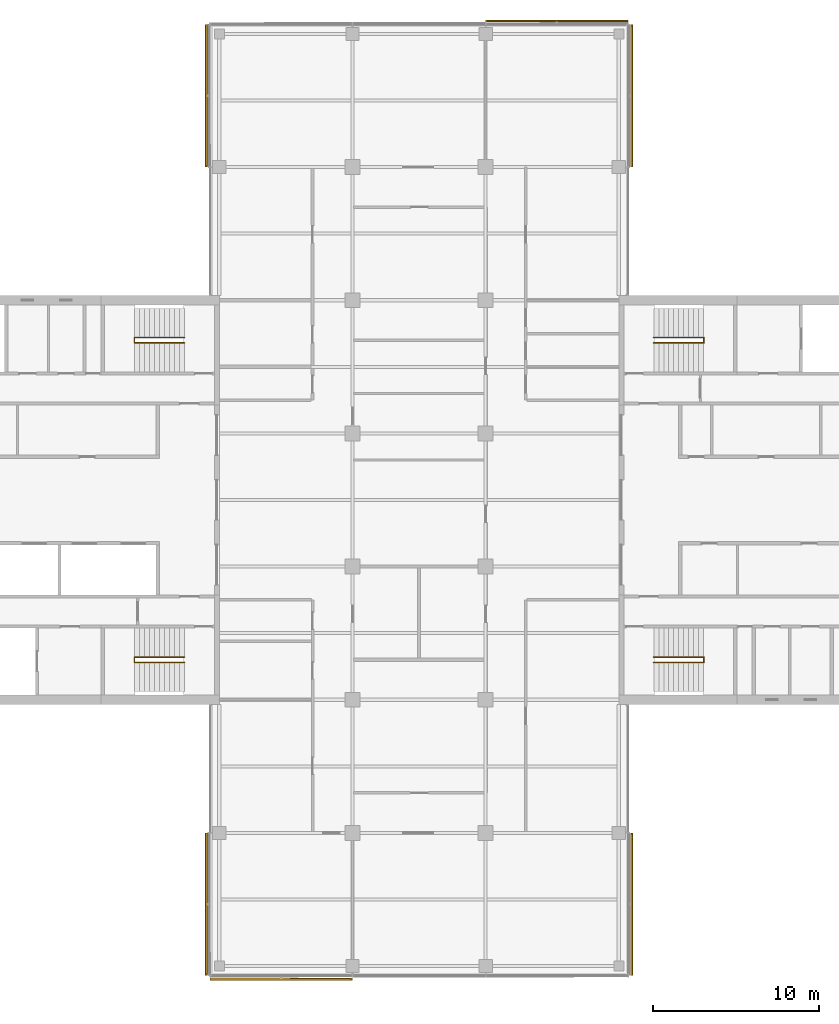
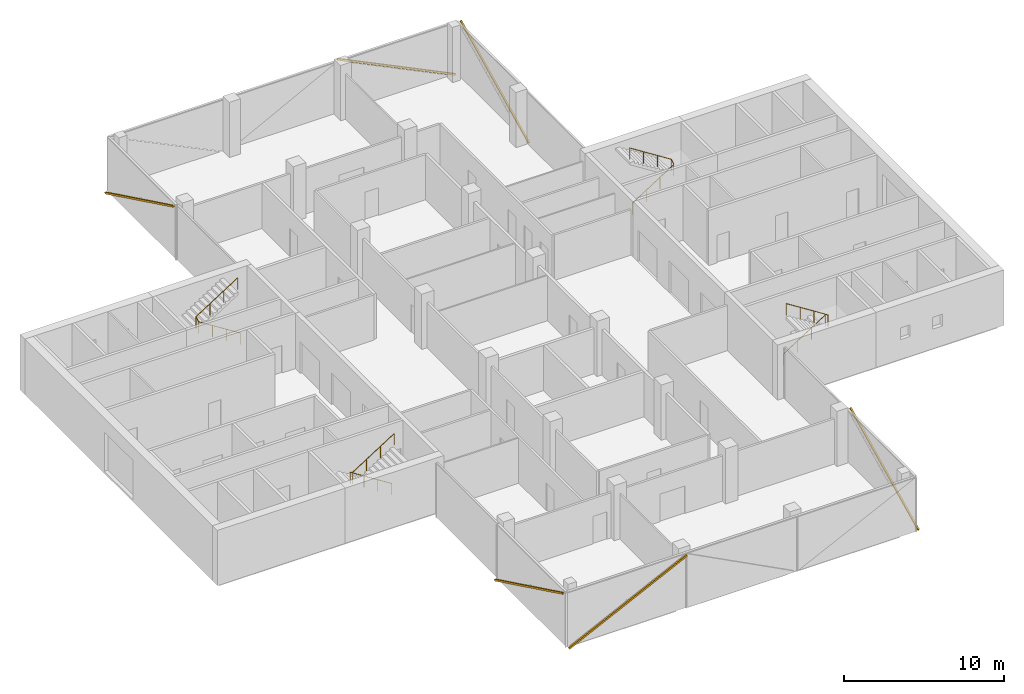
# One storey, part 15 of 15: 6 shading devices, 4 railings, 6 elements without a shape of their own.
"""IFC4 building model written with IfcOpenShell, lengths in metres."""

from ifc_helpers import new_model, si_unit, direction, frame, origin, origin_2d, place, context, subcontext, project, spatial, rectangle, circle, extrude, material, material_profile, profile_set, type_object, element, aggregate, save


model = new_model("IFC4")

# Units and contexts
model_context = context("Model", 3, precision=1e-05, world=origin(), true_north=direction((0.0, 1.0)))
body_context = subcontext(model_context, "Body", "Model", "MODEL_VIEW")
ifc_project = project(units=[si_unit("LENGTHUNIT", "METRE"), si_unit("AREAUNIT", "SQUARE_METRE"), si_unit("VOLUMEUNIT", "CUBIC_METRE"), si_unit("PLANEANGLEUNIT", "RADIAN"), si_unit("MASSUNIT", "GRAM", prefix="KILO")], contexts=[model_context])

# Site, building, storey
site_placement = place(None, origin())
site = spatial("IfcSite", under=ifc_project, at=site_placement, CompositionType="ELEMENT")
building_placement = place(site_placement, origin())
building = spatial("IfcBuilding", under=site, at=building_placement, Name="Crosswind Convention Tower", CompositionType="ELEMENT")
storey_placement = place(building_placement, frame((0.0, 0.0, 229.300048828125)))
storey = spatial("IfcBuildingStorey", under=building, at=storey_placement, Name="L49", CompositionType="ELEMENT", Elevation=229.300048828125)

# Railings
ifc_material_1 = material(Name="Stainless steel", Category="steel")
railing_type = type_object("IfcRailingType", Name="Stair handrail 900", PredefinedType="HANDRAIL", material=ifc_material_1)
railing_1_placement = place(storey_placement, frame((139.10009765625, 109.43994140625, 0.19091796875)))
element("IfcRailing", 1, at=railing_1_placement, inside=storey, type_object=railing_type, Name="Stair ST1 handrail L49", PredefinedType="HANDRAIL", context=body_context, shape_type="SweptSolid", body=[
    extrude(circle(Radius=0.02392578125, at=origin_2d()), frame((0.0, 0.0, 0.8759765625), z_axis=(0.843681277094, 0.0, 0.536844393359), x_axis=(0.0, 1.0, 0.0)), (0.0, 0.0, 1.0), 3.555908203125),
    extrude(circle(Radius=0.02392578125, at=origin_2d()), frame((3.0, 0.0, 2.78466796875), z_axis=(0.0, 0.858819504967, 0.512278301208), x_axis=(-1.0, 0.0, 0.0)), (0.0, 0.0, 1.0), 0.372802734375),
    extrude(circle(Radius=0.02392578125, at=origin_2d()), frame((3.0, 0.320068359375, 2.9755859375), z_axis=(-0.843650179428, 0.0, 0.536893261973), x_axis=(0.0, -1.0, 0.0)), (0.0, 0.0, 1.0), 3.555908203125),
    extrude(circle(Radius=0.02099609375, at=origin_2d()), origin(), (0.0, 0.0, 1.0), 0.851806640625),
    extrude(circle(Radius=0.02099609375, at=origin_2d()), frame((1.0, 0.0, 0.63623046875)), (0.0, 0.0, 1.0), 0.851806640625),
    extrude(circle(Radius=0.02099609375, at=origin_2d()), frame((2.0, 0.0, 1.272705078125)), (0.0, 0.0, 1.0), 0.851806640625),
    extrude(circle(Radius=0.02099609375, at=origin_2d()), frame((3.0, 0.0, 1.908935546875)), (0.0, 0.0, 1.0), 0.851806640625),
    extrude(circle(Radius=0.02099609375, at=origin_2d()), frame((3.0, 0.320068359375, 2.099853515625)), (0.0, 0.0, 1.0), 0.851806640625),
    extrude(circle(Radius=0.02099609375, at=origin_2d()), frame((2.0, 0.320068359375, 2.736328125)), (0.0, 0.0, 1.0), 0.851806640625),
    extrude(circle(Radius=0.02099609375, at=origin_2d()), frame((1.0, 0.320068359375, 3.37255859375)), (0.0, 0.0, 1.0), 0.851806640625),
    extrude(circle(Radius=0.02099609375, at=origin_2d()), frame((0.0, 0.320068359375, 4.009033203125)), (0.0, 0.0, 1.0), 0.851806640625),
])
railing_2_placement = place(storey_placement, frame((139.10009765625, 90.56005859375, 0.19091796875)))
element("IfcRailing", 2, at=railing_2_placement, inside=storey, type_object=railing_type, Name="Stair ST2 handrail L49", PredefinedType="HANDRAIL", context=body_context, shape_type="SweptSolid", body=[
    extrude(circle(Radius=0.02392578125, at=origin_2d()), frame((0.0, 0.0, 0.8759765625), z_axis=(0.843681277094, 0.0, 0.536844393359), x_axis=(0.0, 1.0, 0.0)), (0.0, 0.0, 1.0), 3.555908203125),
    extrude(circle(Radius=0.02392578125, at=origin_2d()), frame((3.0, 0.0, 2.78466796875), z_axis=(0.0, -0.858819504967, 0.512278301208), x_axis=(1.0, 0.0, 0.0)), (0.0, 0.0, 1.0), 0.372802734375),
    extrude(circle(Radius=0.02392578125, at=origin_2d()), frame((3.0, -0.320068359375, 2.9755859375), z_axis=(-0.843650179428, 0.0, 0.536893261973), x_axis=(0.0, -1.0, 0.0)), (0.0, 0.0, 1.0), 3.555908203125),
    extrude(circle(Radius=0.02099609375, at=origin_2d()), origin(), (0.0, 0.0, 1.0), 0.851806640625),
    extrude(circle(Radius=0.02099609375, at=origin_2d()), frame((1.0, 0.0, 0.63623046875)), (0.0, 0.0, 1.0), 0.851806640625),
    extrude(circle(Radius=0.02099609375, at=origin_2d()), frame((2.0, 0.0, 1.272705078125)), (0.0, 0.0, 1.0), 0.851806640625),
    extrude(circle(Radius=0.02099609375, at=origin_2d()), frame((3.0, 0.0, 1.908935546875)), (0.0, 0.0, 1.0), 0.851806640625),
    extrude(circle(Radius=0.02099609375, at=origin_2d()), frame((3.0, -0.320068359375, 2.099853515625)), (0.0, 0.0, 1.0), 0.851806640625),
    extrude(circle(Radius=0.02099609375, at=origin_2d()), frame((2.0, -0.320068359375, 2.736328125)), (0.0, 0.0, 1.0), 0.851806640625),
    extrude(circle(Radius=0.02099609375, at=origin_2d()), frame((1.0, -0.320068359375, 3.37255859375)), (0.0, 0.0, 1.0), 0.851806640625),
    extrude(circle(Radius=0.02099609375, at=origin_2d()), frame((0.0, -0.320068359375, 4.009033203125)), (0.0, 0.0, 1.0), 0.851806640625),
])
railing_3_placement = place(storey_placement, frame((110.89990234375, 90.56005859375, 0.19091796875)))
element("IfcRailing", 3, at=railing_3_placement, inside=storey, type_object=railing_type, Name="Stair ST3 handrail L49", PredefinedType="HANDRAIL", context=body_context, shape_type="SweptSolid", body=[
    extrude(circle(Radius=0.02392578125, at=origin_2d()), frame((0.0, 0.0, 0.8759765625), z_axis=(-0.843681277094, 0.0, 0.536844393359), x_axis=(0.0, -1.0, 0.0)), (0.0, 0.0, 1.0), 3.555908203125),
    extrude(circle(Radius=0.02392578125, at=origin_2d()), frame((-3.0, 0.0, 2.78466796875), z_axis=(0.0, -0.858819504967, 0.512278301208), x_axis=(1.0, 0.0, 0.0)), (0.0, 0.0, 1.0), 0.372802734375),
    extrude(circle(Radius=0.02392578125, at=origin_2d()), frame((-3.0, -0.320068359375, 2.9755859375), z_axis=(0.843650179428, 0.0, 0.536893261973), x_axis=(0.0, 1.0, 0.0)), (0.0, 0.0, 1.0), 3.555908203125),
    extrude(circle(Radius=0.02099609375, at=origin_2d()), origin(), (0.0, 0.0, 1.0), 0.851806640625),
    extrude(circle(Radius=0.02099609375, at=origin_2d()), frame((-1.0, 0.0, 0.63623046875)), (0.0, 0.0, 1.0), 0.851806640625),
    extrude(circle(Radius=0.02099609375, at=origin_2d()), frame((-2.0, 0.0, 1.272705078125)), (0.0, 0.0, 1.0), 0.851806640625),
    extrude(circle(Radius=0.02099609375, at=origin_2d()), frame((-3.0, 0.0, 1.908935546875)), (0.0, 0.0, 1.0), 0.851806640625),
    extrude(circle(Radius=0.02099609375, at=origin_2d()), frame((-3.0, -0.320068359375, 2.099853515625)), (0.0, 0.0, 1.0), 0.851806640625),
    extrude(circle(Radius=0.02099609375, at=origin_2d()), frame((-2.0, -0.320068359375, 2.736328125)), (0.0, 0.0, 1.0), 0.851806640625),
    extrude(circle(Radius=0.02099609375, at=origin_2d()), frame((-1.0, -0.320068359375, 3.37255859375)), (0.0, 0.0, 1.0), 0.851806640625),
    extrude(circle(Radius=0.02099609375, at=origin_2d()), frame((0.0, -0.320068359375, 4.009033203125)), (0.0, 0.0, 1.0), 0.851806640625),
])
railing_4_placement = place(storey_placement, frame((110.89990234375, 109.43994140625, 0.19091796875)))
element("IfcRailing", 4, at=railing_4_placement, inside=storey, type_object=railing_type, Name="Stair ST4 handrail L49", PredefinedType="HANDRAIL", context=body_context, shape_type="SweptSolid", body=[
    extrude(circle(Radius=0.02392578125, at=origin_2d()), frame((0.0, 0.0, 0.8759765625), z_axis=(-0.843681277094, 0.0, 0.536844393359), x_axis=(0.0, -1.0, 0.0)), (0.0, 0.0, 1.0), 3.555908203125),
    extrude(circle(Radius=0.02392578125, at=origin_2d()), frame((-3.0, 0.0, 2.78466796875), z_axis=(0.0, 0.858819504967, 0.512278301208), x_axis=(-1.0, 0.0, 0.0)), (0.0, 0.0, 1.0), 0.372802734375),
    extrude(circle(Radius=0.02392578125, at=origin_2d()), frame((-3.0, 0.320068359375, 2.9755859375), z_axis=(0.843650179428, 0.0, 0.536893261973), x_axis=(0.0, 1.0, 0.0)), (0.0, 0.0, 1.0), 3.555908203125),
    extrude(circle(Radius=0.02099609375, at=origin_2d()), origin(), (0.0, 0.0, 1.0), 0.851806640625),
    extrude(circle(Radius=0.02099609375, at=origin_2d()), frame((-1.0, 0.0, 0.63623046875)), (0.0, 0.0, 1.0), 0.851806640625),
    extrude(circle(Radius=0.02099609375, at=origin_2d()), frame((-2.0, 0.0, 1.272705078125)), (0.0, 0.0, 1.0), 0.851806640625),
    extrude(circle(Radius=0.02099609375, at=origin_2d()), frame((-3.0, 0.0, 1.908935546875)), (0.0, 0.0, 1.0), 0.851806640625),
    extrude(circle(Radius=0.02099609375, at=origin_2d()), frame((-3.0, 0.320068359375, 2.099853515625)), (0.0, 0.0, 1.0), 0.851806640625),
    extrude(circle(Radius=0.02099609375, at=origin_2d()), frame((-2.0, 0.320068359375, 2.736328125)), (0.0, 0.0, 1.0), 0.851806640625),
    extrude(circle(Radius=0.02099609375, at=origin_2d()), frame((-1.0, 0.320068359375, 3.37255859375)), (0.0, 0.0, 1.0), 0.851806640625),
    extrude(circle(Radius=0.02099609375, at=origin_2d()), frame((0.0, 0.320068359375, 4.009033203125)), (0.0, 0.0, 1.0), 0.851806640625),
])

# Curtain wall, shading device
ifc_material_2 = material(Name="Aluminium unitised curtain wall", Category="aluminium")
curtain_wall_type = type_object("IfcCurtainWallType", Name="OFFICE UNITISED WALL 220", PredefinedType="USERDEFINED", material=ifc_material_2)
curtain_wall_1_placement = place(storey_placement, origin())
curtain_wall_1 = element("IfcCurtainWall", 5, at=curtain_wall_1_placement, inside=storey, type_object=curtain_wall_type, Name="CW3 L49 N-E 1", ObjectType="UNITISED", PredefinedType="USERDEFINED")
ifc_material_3 = material(Name="Extruded terracotta", Category="masonry")
ifc_material_profile = material_profile(ifc_material_3, rectangle(XDim=0.110107421875, YDim=0.1298828125, at=origin_2d()), Name="TC 110X130")
ifc_profile_set = profile_set([ifc_material_profile], Name="Extruded terracotta")
shading_device_type = type_object("IfcShadingDeviceType", Name="TERRACOTTA BAGUETTE 130X110", PredefinedType="USERDEFINED", material=ifc_profile_set)
shading_device_1_placement = place(storey_placement, frame((137.781005859375, 120.034912109375, -0.300048828125), z_axis=(0.0, 0.899251034354, 0.437432940248), x_axis=(-1.0, 0.0, 0.0)))
shading_device_1 = element("IfcShadingDevice", 6, at=shading_device_1_placement, type_object=shading_device_type, Name="CW3 terracotta baguette 1", ObjectType="BAGUETTE", PredefinedType="USERDEFINED", context=body_context, shape_type="SweptSolid", body=[
    extrude(rectangle(XDim=0.110107421875, YDim=0.1298828125, at=origin_2d()), origin(), (0.0, 0.0, 1.0), 9.441162109375),
])
aggregate(curtain_wall_1, [shading_device_1])

curtain_wall_2_placement = place(storey_placement, origin())
curtain_wall_2 = element("IfcCurtainWall", 7, at=curtain_wall_2_placement, inside=storey, type_object=curtain_wall_type, Name="CW3 L49 N-TIP 1", ObjectType="UNITISED", PredefinedType="USERDEFINED")
shading_device_2_placement = place(storey_placement, frame((137.52490234375, 128.781005859375, -0.300048828125), z_axis=(-0.899251034354, 0.0, 0.437432940248), x_axis=(0.0, -1.0, 0.0)))
shading_device_2 = element("IfcShadingDevice", 8, at=shading_device_2_placement, type_object=shading_device_type, Name="CW3 terracotta baguette 1", ObjectType="BAGUETTE", PredefinedType="USERDEFINED", context=body_context, shape_type="SweptSolid", body=[
    extrude(rectangle(XDim=0.110107421875, YDim=0.1298828125, at=origin_2d()), origin(), (0.0, 0.0, 1.0), 9.441162109375),
])
aggregate(curtain_wall_2, [shading_device_2])

curtain_wall_3_placement = place(storey_placement, origin())
curtain_wall_3 = element("IfcCurtainWall", 9, at=curtain_wall_3_placement, inside=storey, type_object=curtain_wall_type, Name="CW3 L49 N-W 1", ObjectType="UNITISED", PredefinedType="USERDEFINED")
shading_device_3_placement = place(storey_placement, frame((112.218994140625, 128.52490234375, -0.300048828125), z_axis=(0.0, -0.899251034354, 0.437432940248), x_axis=(1.0, 0.0, 0.0)))
shading_device_3 = element("IfcShadingDevice", 10, at=shading_device_3_placement, type_object=shading_device_type, Name="CW3 terracotta baguette 1", ObjectType="BAGUETTE", PredefinedType="USERDEFINED", context=body_context, shape_type="SweptSolid", body=[
    extrude(rectangle(XDim=0.110107421875, YDim=0.1298828125, at=origin_2d()), origin(), (0.0, 0.0, 1.0), 9.441162109375),
])
aggregate(curtain_wall_3, [shading_device_3])

curtain_wall_4_placement = place(storey_placement, origin())
curtain_wall_4 = element("IfcCurtainWall", 11, at=curtain_wall_4_placement, inside=storey, type_object=curtain_wall_type, Name="CW3 L49 S-W 1", ObjectType="UNITISED", PredefinedType="USERDEFINED")
shading_device_4_placement = place(storey_placement, frame((112.218994140625, 79.965087890625, -0.300048828125), z_axis=(0.0, -0.899251034354, 0.437432940248), x_axis=(1.0, 0.0, 0.0)))
shading_device_4 = element("IfcShadingDevice", 12, at=shading_device_4_placement, type_object=shading_device_type, Name="CW3 terracotta baguette 1", ObjectType="BAGUETTE", PredefinedType="USERDEFINED", context=body_context, shape_type="SweptSolid", body=[
    extrude(rectangle(XDim=0.110107421875, YDim=0.1298828125, at=origin_2d()), origin(), (0.0, 0.0, 1.0), 9.441162109375),
])
aggregate(curtain_wall_4, [shading_device_4])

curtain_wall_5_placement = place(storey_placement, origin())
curtain_wall_5 = element("IfcCurtainWall", 13, at=curtain_wall_5_placement, inside=storey, type_object=curtain_wall_type, Name="CW3 L49 S-TIP 1", ObjectType="UNITISED", PredefinedType="USERDEFINED")
shading_device_5_placement = place(storey_placement, frame((112.47509765625, 71.218994140625, -0.300048828125), z_axis=(0.899251034354, 0.0, 0.437432940248), x_axis=(0.0, 1.0, 0.0)))
shading_device_5 = element("IfcShadingDevice", 14, at=shading_device_5_placement, type_object=shading_device_type, Name="CW3 terracotta baguette 1", ObjectType="BAGUETTE", PredefinedType="USERDEFINED", context=body_context, shape_type="SweptSolid", body=[
    extrude(rectangle(XDim=0.110107421875, YDim=0.1298828125, at=origin_2d()), origin(), (0.0, 0.0, 1.0), 9.441162109375),
])
aggregate(curtain_wall_5, [shading_device_5])

curtain_wall_6_placement = place(storey_placement, origin())
curtain_wall_6 = element("IfcCurtainWall", 15, at=curtain_wall_6_placement, inside=storey, type_object=curtain_wall_type, Name="CW3 L49 S-E 1", ObjectType="UNITISED", PredefinedType="USERDEFINED")
shading_device_6_placement = place(storey_placement, frame((137.781005859375, 71.47509765625, -0.300048828125), z_axis=(0.0, 0.899251034354, 0.437432940248), x_axis=(-1.0, 0.0, 0.0)))
shading_device_6 = element("IfcShadingDevice", 16, at=shading_device_6_placement, type_object=shading_device_type, Name="CW3 terracotta baguette 1", ObjectType="BAGUETTE", PredefinedType="USERDEFINED", context=body_context, shape_type="SweptSolid", body=[
    extrude(rectangle(XDim=0.110107421875, YDim=0.1298828125, at=origin_2d()), origin(), (0.0, 0.0, 1.0), 9.441162109375),
])
aggregate(curtain_wall_6, [shading_device_6])

save(model, "model.ifc")
